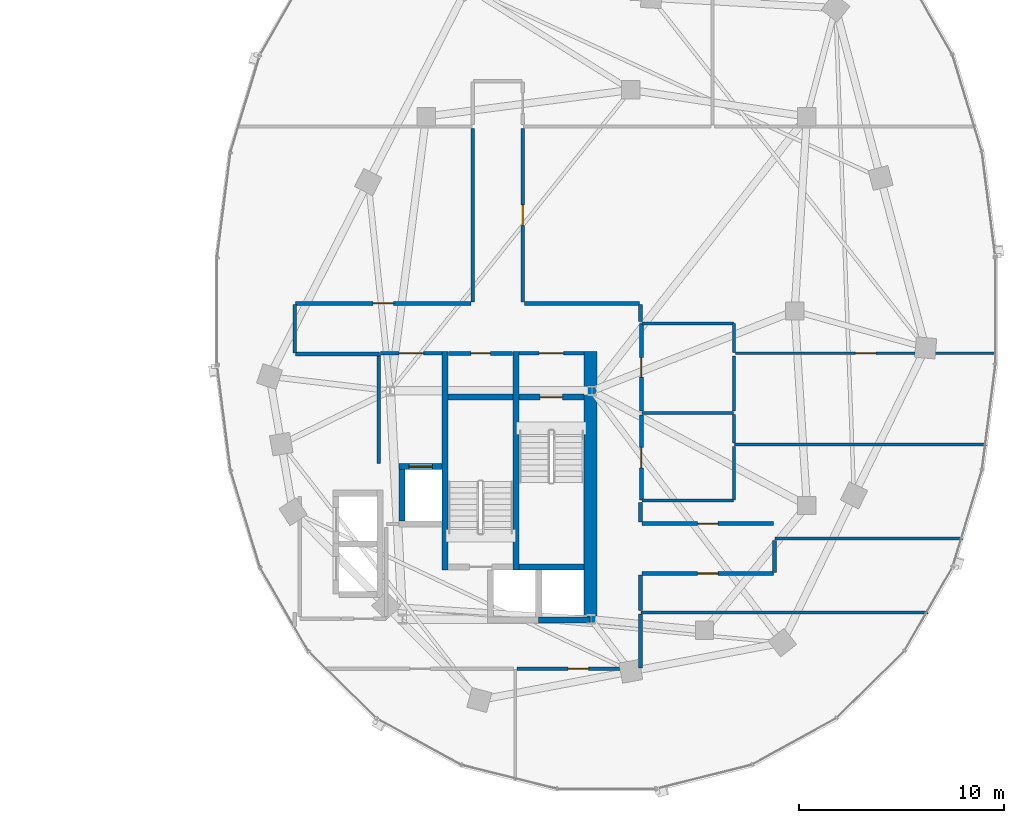
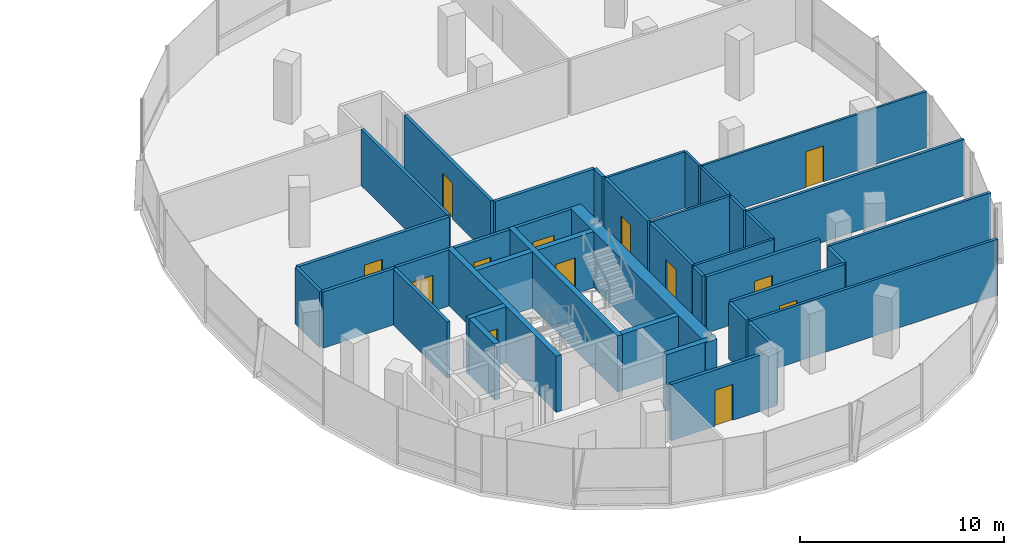
# One storey, part 14 of 22: 40 walls, 13 doors, 13 openings.
"""IFC4 building model written with IfcOpenShell, lengths in metres."""

from ifc_helpers import new_model, si_unit, direction, frame, frame_2d, origin, place, context, subcontext, project, spatial, rectangle, extrude, material, layer, layer_set, type_object, element, fill, save


model = new_model("IFC4")

# Units and contexts
model_context = context("Model", 3, precision=1e-05, world=origin(), true_north=direction((0.0, 1.0)))
body_context = subcontext(model_context, "Body", "Model", "MODEL_VIEW")
ifc_project = project(units=[si_unit("LENGTHUNIT", "METRE"), si_unit("AREAUNIT", "SQUARE_METRE"), si_unit("VOLUMEUNIT", "CUBIC_METRE"), si_unit("PLANEANGLEUNIT", "RADIAN"), si_unit("MASSUNIT", "GRAM", prefix="KILO"), si_unit("THERMODYNAMICTEMPERATUREUNIT", "KELVIN"), si_unit("POWERUNIT", "WATT")], contexts=[model_context])

# Site, building, storey
site_placement = place(None, origin())
site = spatial("IfcSite", under=ifc_project, at=site_placement, CompositionType="ELEMENT")
building_placement = place(site_placement, origin())
building = spatial("IfcBuilding", under=site, at=building_placement, Name="Cundina Bronze Exchange", CompositionType="ELEMENT")
storey_placement = place(building_placement, frame((0.0, 0.0, 151.199951171875)))
storey = spatial("IfcBuildingStorey", under=building, at=storey_placement, Name="L39", CompositionType="ELEMENT", Elevation=151.199951171875)

# Wall
ifc_material_1 = material(Name="Gypsum Fireboard Partition EI120")
ifc_layer_1 = layer(ifc_material_1, 0.179931640625, Name="Gypsum Fireboard Partition EI120")
ifc_layer_set_1 = layer_set([ifc_layer_1], Name="Gypsum Fireboard Partition EI120")
wall_type_1 = type_object("IfcWallType", Name="WL-COR-180", PredefinedType="PARTITIONING", material=ifc_layer_set_1)
wall_1_placement = place(storey_placement, frame((20.889892578125, -7.449951171875, 0.0), z_axis=(0.0, 0.0, 1.0), x_axis=(0.0, 1.0, 0.0)))
element("IfcWall", 1, at=wall_1_placement, inside=storey, type_object=wall_type_1, Name="L39 E Firefighting Lobby Side Wall", PredefinedType="PARTITIONING", context=body_context, shape_type="SweptSolid", body=[
    extrude(rectangle(XDim=5.300048828125, YDim=0.179931640625, at=frame_2d((2.64990234375, 0.0))), origin(), (0.0, 0.0, 1.0), 3.360107421875),
])

# Wall, opening, door
wall_2_placement = place(storey_placement, frame((20.97998046875, -2.06005859375, 0.0), z_axis=(0.0, 0.0, 1.0), x_axis=(1.0, 0.0, 0.0)))
wall_2 = element("IfcWall", 2, at=wall_2_placement, inside=storey, type_object=wall_type_1, Name="L39 E Firefighting Lobby Exit Wall", PredefinedType="PARTITIONING", context=body_context, shape_type="SweptSolid", body=[
    extrude(rectangle(XDim=3.0, YDim=0.179931640625, at=frame_2d((1.5, 0.0))), origin(), (0.0, 0.0, 1.0), 3.360107421875),
])
opening_1_placement = place(wall_2_placement, frame((0.89990234375, 0.0, 0.0)))
opening_1 = element("IfcOpeningElement", 3, at=opening_1_placement, cuts=wall_2, Name="Opening DF-01", PredefinedType="OPENING", context=body_context, shape_type="SweptSolid", body=[
    extrude(rectangle(XDim=1.199951171875, YDim=2.14990234375, at=frame_2d((0.60009765625, 1.074951171875))), frame((0.0, 0.099853515625, 0.0), z_axis=(0.0, -1.0, 0.0), x_axis=(1.0, 0.0, 0.0)), (0.0, 0.0, 1.0), 0.199951171875),
])
ifc_material_2 = material(Name="Steel ASTM A36 Painted", Category="steel")
door_type_1 = type_object("IfcDoorType", Name="DR-FFL-1200", OperationType="NOTDEFINED", PredefinedType="DOOR", material=ifc_material_2)
door_1_placement = place(opening_1_placement, origin())
door_1 = element("IfcDoor", 4, at=door_1_placement, inside=storey, type_object=door_type_1, Name="L39 E Firefighting Lobby Door", OperationType="SINGLE_SWING_LEFT", OverallHeight=2.14990234375, OverallWidth=1.199951171875, PredefinedType="DOOR", context=body_context, shape_type="SweptSolid", body=[
    extrude(rectangle(XDim=1.199951171875, YDim=2.14990234375, at=frame_2d((0.60009765625, 1.074951171875))), frame((0.0, 0.02490234375, 0.0), z_axis=(0.0, -1.0, 0.0), x_axis=(1.0, 0.0, 0.0)), (0.0, 0.0, 1.0), 0.050048828125),
])
fill(opening_1, door_1)

wall_3_placement = place(storey_placement, frame((27.739990234375, -2.06005859375, 0.0), z_axis=(0.0, 0.0, 1.0), x_axis=(1.0, 0.0, 0.0)))
wall_3 = element("IfcWall", 5, at=wall_3_placement, inside=storey, type_object=wall_type_1, Name="L39 E Stair Vestibule Exit Wall", PredefinedType="PARTITIONING", context=body_context, shape_type="SweptSolid", body=[
    extrude(rectangle(XDim=3.159912109375, YDim=0.179931640625, at=frame_2d((1.580078125, 0.0))), origin(), (0.0, 0.0, 1.0), 3.360107421875),
])
opening_2_placement = place(wall_3_placement, frame((0.97998046875, 0.0, 0.0)))
opening_2 = element("IfcOpeningElement", 6, at=opening_2_placement, cuts=wall_3, Name="Opening DF-01", PredefinedType="OPENING", context=body_context, shape_type="SweptSolid", body=[
    extrude(rectangle(XDim=1.199951171875, YDim=2.14990234375, at=frame_2d((0.60009765625, 1.074951171875))), frame((0.0, 0.099853515625, 0.0), z_axis=(0.0, -1.0, 0.0), x_axis=(1.0, 0.0, 0.0)), (0.0, 0.0, 1.0), 0.199951171875),
])
door_2_placement = place(opening_2_placement, origin())
door_2 = element("IfcDoor", 7, at=door_2_placement, inside=storey, type_object=door_type_1, Name="L39 E Stair Vestibule Door", OperationType="SINGLE_SWING_RIGHT", OverallHeight=2.14990234375, OverallWidth=1.199951171875, PredefinedType="DOOR", context=body_context, shape_type="SweptSolid", body=[
    extrude(rectangle(XDim=1.199951171875, YDim=2.14990234375, at=frame_2d((0.60009765625, 1.074951171875))), frame((0.0, 0.02490234375, 0.0), z_axis=(0.0, -1.0, 0.0), x_axis=(1.0, 0.0, 0.0)), (0.0, 0.0, 1.0), 0.050048828125),
])
fill(opening_2, door_2)

wall_4_placement = place(storey_placement, frame((24.300048828125, -2.070068359375, 0.0), z_axis=(0.0, 0.0, 1.0), x_axis=(1.0, 0.0, 0.0)))
wall_4 = element("IfcWall", 8, at=wall_4_placement, inside=storey, type_object=wall_type_1, Name="L39 Interior Partition 048", PredefinedType="PARTITIONING", context=body_context, shape_type="SweptSolid", body=[
    extrude(rectangle(XDim=3.119873046875, YDim=0.179931640625, at=frame_2d((1.56005859375, 0.0))), origin(), (0.0, 0.0, 1.0), 3.360107421875),
])
opening_3_placement = place(wall_4_placement, frame((1.0849609375, 0.0, 0.0)))
opening_3 = element("IfcOpeningElement", 9, at=opening_3_placement, cuts=wall_4, Name="Opening DW-01", PredefinedType="OPENING", context=body_context, shape_type="SweptSolid", body=[
    extrude(rectangle(XDim=0.949951171875, YDim=2.10009765625, at=frame_2d((0.47509765625, 1.050048828125))), frame((0.0, 0.099853515625, 0.0), z_axis=(0.0, -1.0, 0.0), x_axis=(1.0, 0.0, 0.0)), (0.0, 0.0, 1.0), 0.199951171875),
])
ifc_material_3 = material(Name="Solid Andean Oak Timber Grade A", Category="wood")
door_type_2 = type_object("IfcDoorType", Name="DR-WC-950", OperationType="NOTDEFINED", PredefinedType="DOOR", material=ifc_material_3)
door_3_placement = place(opening_3_placement, origin())
door_3 = element("IfcDoor", 10, at=door_3_placement, inside=storey, type_object=door_type_2, Name="L39 Interior Door 048", OperationType="SINGLE_SWING_LEFT", OverallHeight=2.10009765625, OverallWidth=0.949951171875, PredefinedType="DOOR", context=body_context, shape_type="SweptSolid", body=[
    extrude(rectangle(XDim=0.949951171875, YDim=2.10009765625, at=frame_2d((0.47509765625, 1.050048828125))), frame((0.0, 0.02490234375, 0.0), z_axis=(0.0, -1.0, 0.0), x_axis=(1.0, 0.0, 0.0)), (0.0, 0.0, 1.0), 0.050048828125),
])
fill(opening_3, door_3)

wall_5_placement = place(storey_placement, frame((33.719970703125, -4.8798828125, 0.0), z_axis=(0.0, 0.0, 1.0), x_axis=(0.0, 1.0, 0.0)))
wall_5 = element("IfcWall", 11, at=wall_5_placement, inside=storey, type_object=wall_type_1, Name="L39 Interior Partition 056", PredefinedType="PARTITIONING", context=body_context, shape_type="SweptSolid", body=[
    extrude(rectangle(XDim=4.259765625, YDim=0.179931640625, at=frame_2d((2.1298828125, 0.0))), origin(), (0.0, 0.0, 1.0), 3.360107421875),
])
opening_4_placement = place(wall_5_placement, frame((1.655029296875, 0.0, 0.0)))
opening_4 = element("IfcOpeningElement", 12, at=opening_4_placement, cuts=wall_5, Name="Opening DW-01", PredefinedType="OPENING", context=body_context, shape_type="SweptSolid", body=[
    extrude(rectangle(XDim=0.949951171875, YDim=2.10009765625, at=frame_2d((0.47509765625, 1.050048828125))), frame((0.0, 0.099853515625, 0.0), z_axis=(0.0, -1.0, 0.0), x_axis=(1.0, 0.0, 0.0)), (0.0, 0.0, 1.0), 0.199951171875),
])
door_4_placement = place(opening_4_placement, origin())
door_4 = element("IfcDoor", 13, at=door_4_placement, inside=storey, type_object=door_type_2, Name="L39 Interior Door 056", OperationType="SINGLE_SWING_LEFT", OverallHeight=2.10009765625, OverallWidth=0.949951171875, PredefinedType="DOOR", context=body_context, shape_type="SweptSolid", body=[
    extrude(rectangle(XDim=0.949951171875, YDim=2.10009765625, at=frame_2d((0.47509765625, 1.050048828125))), frame((0.0, 0.02490234375, 0.0), z_axis=(0.0, -1.0, 0.0), x_axis=(1.0, 0.0, 0.0)), (0.0, 0.0, 1.0), 0.050048828125),
])
fill(opening_4, door_4)

wall_6_placement = place(storey_placement, frame((33.719970703125, -9.239990234375, 0.0), z_axis=(0.0, 0.0, 1.0), x_axis=(0.0, 1.0, 0.0)))
wall_6 = element("IfcWall", 14, at=wall_6_placement, inside=storey, type_object=wall_type_1, Name="L39 Interior Partition 057", PredefinedType="PARTITIONING", context=body_context, shape_type="SweptSolid", body=[
    extrude(rectangle(XDim=4.159912109375, YDim=0.179931640625, at=frame_2d((2.080078125, 0.0))), origin(), (0.0, 0.0, 1.0), 3.360107421875),
])
opening_5_placement = place(wall_6_placement, frame((1.580078125, 0.0, 0.0)))
opening_5 = element("IfcOpeningElement", 15, at=opening_5_placement, cuts=wall_6, Name="Opening DO-01", PredefinedType="OPENING", context=body_context, shape_type="SweptSolid", body=[
    extrude(rectangle(XDim=1.0, YDim=2.14990234375, at=frame_2d((0.5, 1.074951171875))), frame((0.0, 0.099853515625, 0.0), z_axis=(0.0, -1.0, 0.0), x_axis=(1.0, 0.0, 0.0)), (0.0, 0.0, 1.0), 0.199951171875),
])
door_type_3 = type_object("IfcDoorType", Name="DR-OFF-1000", OperationType="NOTDEFINED", PredefinedType="DOOR", material=ifc_material_3)
door_5_placement = place(opening_5_placement, origin())
door_5 = element("IfcDoor", 16, at=door_5_placement, inside=storey, type_object=door_type_3, Name="L39 Interior Door 057", OperationType="SINGLE_SWING_LEFT", OverallHeight=2.14990234375, OverallWidth=1.0, PredefinedType="DOOR", context=body_context, shape_type="SweptSolid", body=[
    extrude(rectangle(XDim=1.0, YDim=2.14990234375, at=frame_2d((0.5, 1.074951171875))), frame((0.0, 0.02490234375, 0.0), z_axis=(0.0, -1.0, 0.0), x_axis=(1.0, 0.0, 0.0)), (0.0, 0.0, 1.0), 0.050048828125),
])
fill(opening_5, door_5)

wall_7_placement = place(storey_placement, frame((27.64990234375, -17.469970703125, 0.0), z_axis=(0.0, 0.0, 1.0), x_axis=(1.0, 0.0, 0.0)))
wall_7 = element("IfcWall", 17, at=wall_7_placement, inside=storey, type_object=wall_type_1, Name="L39 Interior Partition 066", PredefinedType="PARTITIONING", context=body_context, shape_type="SweptSolid", body=[
    extrude(rectangle(XDim=5.978515625, YDim=0.179931640625, at=frame_2d((2.9892578125, 0.0))), origin(), (0.0, 0.0, 1.0), 3.360107421875),
])
opening_6_placement = place(wall_7_placement, frame((2.4892578125, 0.0, 0.0)))
opening_6 = element("IfcOpeningElement", 18, at=opening_6_placement, cuts=wall_7, Name="Opening DO-01", PredefinedType="OPENING", context=body_context, shape_type="SweptSolid", body=[
    extrude(rectangle(XDim=1.0, YDim=2.14990234375, at=frame_2d((0.5, 1.074951171875))), frame((0.0, 0.099853515625, 0.0), z_axis=(0.0, -1.0, 0.0), x_axis=(1.0, 0.0, 0.0)), (0.0, 0.0, 1.0), 0.199951171875),
])
door_6_placement = place(opening_6_placement, origin())
door_6 = element("IfcDoor", 19, at=door_6_placement, inside=storey, type_object=door_type_3, Name="L39 Interior Door 066", OperationType="SINGLE_SWING_RIGHT", OverallHeight=2.14990234375, OverallWidth=1.0, PredefinedType="DOOR", context=body_context, shape_type="SweptSolid", body=[
    extrude(rectangle(XDim=1.0, YDim=2.14990234375, at=frame_2d((0.5, 1.074951171875))), frame((0.0, 0.02490234375, 0.0), z_axis=(0.0, -1.0, 0.0), x_axis=(1.0, 0.0, 0.0)), (0.0, 0.0, 1.0), 0.050048828125),
])
fill(opening_6, door_6)

# Wall
wall_8_placement = place(storey_placement, frame((33.669921875, -17.428466796875, 0.0), z_axis=(0.0, 0.0, 1.0), x_axis=(0.0, 1.0, 0.0)))
element("IfcWall", 20, at=wall_8_placement, inside=storey, type_object=wall_type_1, Name="L39 Interior Partition 067", PredefinedType="PARTITIONING", context=body_context, shape_type="SweptSolid", body=[
    extrude(rectangle(XDim=2.618408203125, YDim=0.179931640625, at=frame_2d((1.30908203125, 0.0))), origin(), (0.0, 0.0, 1.0), 3.360107421875),
])

# Wall, opening, door
wall_9_placement = place(storey_placement, frame((33.75, -12.820068359375, 0.0), z_axis=(0.0, 0.0, 1.0), x_axis=(1.0, 0.0, 0.0)))
wall_9 = element("IfcWall", 21, at=wall_9_placement, inside=storey, type_object=wall_type_1, Name="L39 Interior Partition 068", PredefinedType="PARTITIONING", context=body_context, shape_type="SweptSolid", body=[
    extrude(rectangle(XDim=6.428466796875, YDim=0.179931640625, at=frame_2d((3.21435546875, 0.0))), origin(), (0.0, 0.0, 1.0), 3.360107421875),
])
opening_7_placement = place(wall_9_placement, frame((2.714111328125, 0.0, 0.0)))
opening_7 = element("IfcOpeningElement", 22, at=opening_7_placement, cuts=wall_9, Name="Opening DO-01", PredefinedType="OPENING", context=body_context, shape_type="SweptSolid", body=[
    extrude(rectangle(XDim=1.0, YDim=2.14990234375, at=frame_2d((0.5, 1.074951171875))), frame((0.0, 0.099853515625, 0.0), z_axis=(0.0, -1.0, 0.0), x_axis=(1.0, 0.0, 0.0)), (0.0, 0.0, 1.0), 0.199951171875),
])
door_7_placement = place(opening_7_placement, origin())
door_7 = element("IfcDoor", 23, at=door_7_placement, inside=storey, type_object=door_type_3, Name="L39 Interior Door 068", OperationType="SINGLE_SWING_RIGHT", OverallHeight=2.14990234375, OverallWidth=1.0, PredefinedType="DOOR", context=body_context, shape_type="SweptSolid", body=[
    extrude(rectangle(XDim=1.0, YDim=2.14990234375, at=frame_2d((0.5, 1.074951171875))), frame((0.0, 0.02490234375, 0.0), z_axis=(0.0, -1.0, 0.0), x_axis=(1.0, 0.0, 0.0)), (0.0, 0.0, 1.0), 0.050048828125),
])
fill(opening_7, door_7)

# Walls
wall_10_placement = place(storey_placement, frame((33.669921875, -14.6298828125, 0.0), z_axis=(0.0, 0.0, 1.0), x_axis=(0.0, 1.0, 0.0)))
element("IfcWall", 24, at=wall_10_placement, inside=storey, type_object=wall_type_1, Name="L39 Interior Partition 069", PredefinedType="PARTITIONING", context=body_context, shape_type="SweptSolid", body=[
    extrude(rectangle(XDim=1.72998046875, YDim=0.179931640625, at=frame_2d((0.864990234375, 0.0))), origin(), (0.0, 0.0, 1.0), 3.360107421875),
])
wall_11_placement = place(storey_placement, frame((40.219970703125, -12.778564453125, 0.0), z_axis=(0.0, 0.0, 1.0), x_axis=(0.0, 1.0, 0.0)))
element("IfcWall", 25, at=wall_11_placement, inside=storey, type_object=wall_type_1, Name="L39 Interior Partition 070", PredefinedType="PARTITIONING", context=body_context, shape_type="SweptSolid", body=[
    extrude(rectangle(XDim=1.568603515625, YDim=0.179931640625, at=frame_2d((0.7841796875, 0.0))), origin(), (0.0, 0.0, 1.0), 3.360107421875),
])

# Wall, opening, door
wall_12_placement = place(storey_placement, frame((40.178466796875, -10.3798828125, 0.0), z_axis=(0.0, 0.0, 1.0), x_axis=(-1.0, 0.0, 0.0)))
wall_12 = element("IfcWall", 26, at=wall_12_placement, inside=storey, type_object=wall_type_1, Name="L39 Interior Partition 071", PredefinedType="PARTITIONING", context=body_context, shape_type="SweptSolid", body=[
    extrude(rectangle(XDim=6.428466796875, YDim=0.179931640625, at=frame_2d((3.21435546875, 0.0))), origin(), (0.0, 0.0, 1.0), 3.360107421875),
])
opening_8_placement = place(wall_12_placement, frame((2.714111328125, 0.0, 0.0)))
opening_8 = element("IfcOpeningElement", 27, at=opening_8_placement, cuts=wall_12, Name="Opening DO-01", PredefinedType="OPENING", context=body_context, shape_type="SweptSolid", body=[
    extrude(rectangle(XDim=1.0, YDim=2.14990234375, at=frame_2d((0.5, 1.074951171875))), frame((0.0, 0.099853515625, 0.0), z_axis=(0.0, -1.0, 0.0), x_axis=(1.0, 0.0, 0.0)), (0.0, 0.0, 1.0), 0.199951171875),
])
door_8_placement = place(opening_8_placement, origin())
door_8 = element("IfcDoor", 28, at=door_8_placement, inside=storey, type_object=door_type_3, Name="L39 Interior Door 071", OperationType="SINGLE_SWING_LEFT", OverallHeight=2.14990234375, OverallWidth=1.0, PredefinedType="DOOR", context=body_context, shape_type="SweptSolid", body=[
    extrude(rectangle(XDim=1.0, YDim=2.14990234375, at=frame_2d((0.5, 1.074951171875))), frame((0.0, 0.02490234375, 0.0), z_axis=(0.0, -1.0, 0.0), x_axis=(1.0, 0.0, 0.0)), (0.0, 0.0, 1.0), 0.050048828125),
])
fill(opening_8, door_8)

# Wall
wall_13_placement = place(storey_placement, frame((33.669921875, -10.300048828125, 0.0), z_axis=(0.0, 0.0, 1.0), x_axis=(0.0, 1.0, 0.0)))
element("IfcWall", 29, at=wall_13_placement, inside=storey, type_object=wall_type_1, Name="L39 Interior Partition 072", PredefinedType="PARTITIONING", context=body_context, shape_type="SweptSolid", body=[
    extrude(rectangle(XDim=0.94873046875, YDim=0.179931640625, at=frame_2d((0.474365234375, 0.0))), origin(), (0.0, 0.0, 1.0), 3.360107421875),
])

# Wall, opening, door
wall_14_placement = place(storey_placement, frame((25.39990234375, 0.3701171875, 0.0), z_axis=(0.0, 0.0, 1.0), x_axis=(-1.0, 0.0, 0.0)))
wall_14 = element("IfcWall", 30, at=wall_14_placement, inside=storey, type_object=wall_type_1, Name="L39 Interior Partition 073", PredefinedType="PARTITIONING", context=body_context, shape_type="SweptSolid", body=[
    extrude(rectangle(XDim=8.578369140625, YDim=0.179931640625, at=frame_2d((4.2890625, 0.0))), origin(), (0.0, 0.0, 1.0), 3.360107421875),
])
opening_9_placement = place(wall_14_placement, frame((3.789306640625, 0.0, 0.0)))
opening_9 = element("IfcOpeningElement", 31, at=opening_9_placement, cuts=wall_14, Name="Opening DO-01", PredefinedType="OPENING", context=body_context, shape_type="SweptSolid", body=[
    extrude(rectangle(XDim=1.0, YDim=2.14990234375, at=frame_2d((0.5, 1.074951171875))), frame((0.0, 0.099853515625, 0.0), z_axis=(0.0, -1.0, 0.0), x_axis=(1.0, 0.0, 0.0)), (0.0, 0.0, 1.0), 0.199951171875),
])
door_9_placement = place(opening_9_placement, origin())
door_9 = element("IfcDoor", 32, at=door_9_placement, inside=storey, type_object=door_type_3, Name="L39 Interior Door 073", OperationType="SINGLE_SWING_LEFT", OverallHeight=2.14990234375, OverallWidth=1.0, PredefinedType="DOOR", context=body_context, shape_type="SweptSolid", body=[
    extrude(rectangle(XDim=1.0, YDim=2.14990234375, at=frame_2d((0.5, 1.074951171875))), frame((0.0, 0.02490234375, 0.0), z_axis=(0.0, -1.0, 0.0), x_axis=(1.0, 0.0, 0.0)), (0.0, 0.0, 1.0), 0.050048828125),
])
fill(opening_9, door_9)

# Walls
wall_15_placement = place(storey_placement, frame((25.47998046875, 8.919921875, 0.0), z_axis=(0.0, 0.0, 1.0), x_axis=(0.0, -1.0, 0.0)))
element("IfcWall", 33, at=wall_15_placement, inside=storey, type_object=wall_type_1, Name="L39 Interior Partition 074", PredefinedType="PARTITIONING", context=body_context, shape_type="SweptSolid", body=[
    extrude(rectangle(XDim=8.469970703125, YDim=0.179931640625, at=frame_2d((4.23486328125, 0.0))), origin(), (0.0, 0.0, 1.0), 3.360107421875),
])
wall_16_placement = place(storey_placement, frame((16.821533203125, -2.10009765625, 0.0), z_axis=(0.0, 0.0, 1.0), x_axis=(1.0, 0.0, 0.0)))
element("IfcWall", 34, at=wall_16_placement, inside=storey, type_object=wall_type_1, Name="L39 Interior Partition 075", PredefinedType="PARTITIONING", context=body_context, shape_type="SweptSolid", body=[
    extrude(rectangle(XDim=4.098388671875, YDim=0.179931640625, at=frame_2d((2.04931640625, 0.0))), origin(), (0.0, 0.0, 1.0), 3.360107421875),
])
wall_17_placement = place(storey_placement, frame((16.780029296875, 0.32861328125, 0.0), z_axis=(0.0, 0.0, 1.0), x_axis=(0.0, -1.0, 0.0)))
element("IfcWall", 35, at=wall_17_placement, inside=storey, type_object=wall_type_1, Name="L39 Interior Partition 076", PredefinedType="PARTITIONING", context=body_context, shape_type="SweptSolid", body=[
    extrude(rectangle(XDim=2.38720703125, YDim=0.179931640625, at=frame_2d((1.193603515625, 0.0))), origin(), (0.0, 0.0, 1.0), 3.360107421875),
])

# Wall, opening, door
wall_18_placement = place(storey_placement, frame((27.919921875, 0.449951171875, 0.0), z_axis=(0.0, 0.0, 1.0), x_axis=(0.0, 1.0, 0.0)))
wall_18 = element("IfcWall", 36, at=wall_18_placement, inside=storey, type_object=wall_type_1, Name="L39 Interior Partition 078", PredefinedType="PARTITIONING", context=body_context, shape_type="SweptSolid", body=[
    extrude(rectangle(XDim=8.469970703125, YDim=0.179931640625, at=frame_2d((4.23486328125, 0.0))), origin(), (0.0, 0.0, 1.0), 3.360107421875),
])
opening_10_placement = place(wall_18_placement, frame((3.735107421875, 0.0, 0.0)))
opening_10 = element("IfcOpeningElement", 37, at=opening_10_placement, cuts=wall_18, Name="Opening DO-01", PredefinedType="OPENING", context=body_context, shape_type="SweptSolid", body=[
    extrude(rectangle(XDim=1.0, YDim=2.14990234375, at=frame_2d((0.5, 1.074951171875))), frame((0.0, 0.099853515625, 0.0), z_axis=(0.0, -1.0, 0.0), x_axis=(1.0, 0.0, 0.0)), (0.0, 0.0, 1.0), 0.199951171875),
])
door_10_placement = place(opening_10_placement, origin())
door_10 = element("IfcDoor", 38, at=door_10_placement, inside=storey, type_object=door_type_3, Name="L39 Interior Door 078", OperationType="SINGLE_SWING_LEFT", OverallHeight=2.14990234375, OverallWidth=1.0, PredefinedType="DOOR", context=body_context, shape_type="SweptSolid", body=[
    extrude(rectangle(XDim=1.0, YDim=2.14990234375, at=frame_2d((0.5, 1.074951171875))), frame((0.0, 0.02490234375, 0.0), z_axis=(0.0, -1.0, 0.0), x_axis=(1.0, 0.0, 0.0)), (0.0, 0.0, 1.0), 0.050048828125),
])
fill(opening_10, door_10)

# Walls
wall_19_placement = place(storey_placement, frame((33.62841796875, 0.3701171875, 0.0), z_axis=(0.0, 0.0, 1.0), x_axis=(-1.0, 0.0, 0.0)))
element("IfcWall", 39, at=wall_19_placement, inside=storey, type_object=wall_type_1, Name="L39 Interior Partition 079", PredefinedType="PARTITIONING", context=body_context, shape_type="SweptSolid", body=[
    extrude(rectangle(XDim=5.62841796875, YDim=0.179931640625, at=frame_2d((2.814208984375, 0.0))), origin(), (0.0, 0.0, 1.0), 3.360107421875),
])
wall_20_placement = place(storey_placement, frame((33.669921875, -0.508544921875, 0.0), z_axis=(0.0, 0.0, 1.0), x_axis=(0.0, 1.0, 0.0)))
element("IfcWall", 40, at=wall_20_placement, inside=storey, type_object=wall_type_1, Name="L39 Interior Partition 080", PredefinedType="PARTITIONING", context=body_context, shape_type="SweptSolid", body=[
    extrude(rectangle(XDim=0.837158203125, YDim=0.179931640625, at=frame_2d((0.41845703125, 0.0))), origin(), (0.0, 0.0, 1.0), 3.360107421875),
])
ifc_material_4 = material(Name="Concrete C50/60", Category="concrete")
ifc_layer_2 = layer(ifc_material_4, 0.64990234375, Name="Concrete C50/60", Category="concrete")
ifc_layer_set_2 = layer_set([ifc_layer_2], Name="Concrete C50/60")
wall_type_2 = type_object("IfcWallType", Name="WL-CORE-650", PredefinedType="SHEAR", material=ifc_layer_set_2)
wall_21_placement = place(storey_placement, frame((31.22509765625, -15.300048828125, 0.0), z_axis=(0.0, 0.0, 1.0), x_axis=(0.0, 1.0, 0.0)))
element("IfcWall", 41, at=wall_21_placement, inside=storey, type_object=wall_type_2, Name="L39 E Primary Core Shear Spine Wall", PredefinedType="SHEAR", context=body_context, shape_type="SweptSolid", body=[
    extrude(rectangle(XDim=13.330078125, YDim=0.64990234375, at=frame_2d((6.6650390625, 0.0))), origin(), (0.0, 0.0, 1.0), 3.360107421875),
])

# Wall, opening, door
ifc_material_5 = material(Name="Gypsum Acoustic Partition EI60")
ifc_layer_3 = layer(ifc_material_5, 0.125, Name="Gypsum Acoustic Partition EI60")
ifc_layer_set_3 = layer_set([ifc_layer_3], Name="Gypsum Acoustic Partition EI60")
wall_type_3 = type_object("IfcWallType", Name="WL-OFF-125", PredefinedType="PARTITIONING", material=ifc_layer_set_3)
wall_22_placement = place(storey_placement, frame((38.320068359375, -2.070068359375, 0.0), z_axis=(0.0, 0.0, 1.0), x_axis=(1.0, 0.0, 0.0)))
wall_22 = element("IfcWall", 42, at=wall_22_placement, inside=storey, type_object=wall_type_3, Name="L39 Interior Partition 084", PredefinedType="PARTITIONING", context=body_context, shape_type="SweptSolid", body=[
    extrude(rectangle(XDim=12.701904296875, YDim=0.125, at=frame_2d((6.35107421875, 0.0))), origin(), (0.0, 0.0, 1.0), 3.360107421875),
])
opening_11_placement = place(wall_22_placement, frame((5.85107421875, 0.0, 0.0)))
opening_11 = element("IfcOpeningElement", 43, at=opening_11_placement, cuts=wall_22, Name="Opening DO-01", PredefinedType="OPENING", context=body_context, shape_type="SweptSolid", body=[
    extrude(rectangle(XDim=1.0, YDim=2.14990234375, at=frame_2d((0.5, 1.074951171875))), frame((0.0, 0.072509765625, 0.0), z_axis=(0.0, -1.0, 0.0), x_axis=(1.0, 0.0, 0.0)), (0.0, 0.0, 1.0), 0.14501953125),
])
door_11_placement = place(opening_11_placement, origin())
door_11 = element("IfcDoor", 44, at=door_11_placement, inside=storey, type_object=door_type_3, Name="L39 Interior Door 084", OperationType="SINGLE_SWING_RIGHT", OverallHeight=2.14990234375, OverallWidth=1.0, PredefinedType="DOOR", context=body_context, shape_type="SweptSolid", body=[
    extrude(rectangle(XDim=1.0, YDim=2.14990234375, at=frame_2d((0.5, 1.074951171875))), frame((0.0, 0.02490234375, 0.0), z_axis=(0.0, -1.0, 0.0), x_axis=(1.0, 0.0, 0.0)), (0.0, 0.0, 1.0), 0.050048828125),
])
fill(opening_11, door_11)

# Walls
ifc_layer_4 = layer(ifc_material_4, 0.300048828125, Name="Concrete C50/60", Category="concrete")
ifc_layer_set_4 = layer_set([ifc_layer_4], Name="Concrete C50/60")
wall_type_4 = type_object("IfcWallType", Name="WL-SHFT-300", PredefinedType="SHEAR", material=ifc_layer_set_4)
for number, where, z_axis, x_axis, name in (
    (45, (27.590087890625, -12.64990234375, 0.0), (0.0, 0.0, 1.0), (0.0, 1.0, 0.0), "L39 E Stair Shaft Dividing Shear Wall"),
    (46, (24.1298828125, -12.64990234375, 0.0), (0.0, 0.0, 1.0), (0.0, 1.0, 0.0), "L39 E Stair 2 East Shear Wall"),
):
    element("IfcWall", number, at=place(storey_placement, frame(where, z_axis=z_axis, x_axis=x_axis)), inside=storey, type_object=wall_type_4, Name=name, PredefinedType="SHEAR", context=body_context, shape_type="SweptSolid", body=[
        extrude(rectangle(XDim=10.679931640625, YDim=0.300048828125, at=frame_2d((5.33984375, 0.0))), origin(), (0.0, 0.0, 1.0), 3.360107421875),
    ])

# Wall, opening, door
wall_23_placement = place(storey_placement, frame((27.739990234375, -4.199951171875, 0.0), z_axis=(0.0, 0.0, 1.0), x_axis=(1.0, 0.0, 0.0)))
wall_23 = element("IfcWall", 47, at=wall_23_placement, inside=storey, type_object=wall_type_4, Name="L39 Stair E1 Landing Wall", PredefinedType="SHEAR", context=body_context, shape_type="SweptSolid", body=[
    extrude(rectangle(XDim=3.159912109375, YDim=0.300048828125, at=frame_2d((1.580078125, 0.0))), origin(), (0.0, 0.0, 1.0), 3.360107421875),
])
opening_12_placement = place(wall_23_placement, frame((1.030029296875, 0.0, 0.0)))
opening_12 = element("IfcOpeningElement", 48, at=opening_12_placement, cuts=wall_23, Name="Opening DS-01", PredefinedType="OPENING", context=body_context, shape_type="SweptSolid", body=[
    extrude(rectangle(XDim=1.10009765625, YDim=2.14990234375, at=frame_2d((0.550048828125, 1.074951171875))), frame((0.0, 0.159912109375, 0.0), z_axis=(0.0, -1.0, 0.0), x_axis=(1.0, 0.0, 0.0)), (0.0, 0.0, 1.0), 0.320068359375),
])
door_type_4 = type_object("IfcDoorType", Name="DR-STR-1100", OperationType="NOTDEFINED", PredefinedType="DOOR", material=ifc_material_2)
door_12_placement = place(opening_12_placement, origin())
door_12 = element("IfcDoor", 49, at=door_12_placement, inside=storey, type_object=door_type_4, Name="L39 Smokeproof Stair E1 Door", OperationType="SINGLE_SWING_LEFT", OverallHeight=2.14990234375, OverallWidth=1.10009765625, PredefinedType="DOOR", context=body_context, shape_type="SweptSolid", body=[
    extrude(rectangle(XDim=1.10009765625, YDim=2.14990234375, at=frame_2d((0.550048828125, 1.074951171875))), frame((0.0, 0.02490234375, 0.0), z_axis=(0.0, -1.0, 0.0), x_axis=(1.0, 0.0, 0.0)), (0.0, 0.0, 1.0), 0.050048828125),
])
fill(opening_12, door_12)

# Walls
for number, where, z_axis, x_axis, name in (
    (50, (27.739990234375, -12.5, 0.0), (0.0, 0.0, 1.0), (1.0, 0.0, 0.0), "L39 Stair E1 Far Shaft Wall"),
    (51, (24.280029296875, -4.199951171875, 0.0), (0.0, 0.0, 1.0), (1.0, 0.0, 0.0), "L39 Stair E2 Far Shaft Wall"),
):
    element("IfcWall", number, at=place(storey_placement, frame(where, z_axis=z_axis, x_axis=x_axis)), inside=storey, type_object=wall_type_4, Name=name, PredefinedType="SHEAR", context=body_context, shape_type="SweptSolid", body=[
        extrude(rectangle(XDim=3.159912109375, YDim=0.300048828125, at=frame_2d((1.580078125, 0.0))), origin(), (0.0, 0.0, 1.0), 3.360107421875),
    ])

# Wall, opening, door
wall_24_placement = place(storey_placement, frame((21.8798828125, -7.60009765625, 0.0), z_axis=(0.0, 0.0, 1.0), x_axis=(1.0, 0.0, 0.0)))
wall_24 = element("IfcWall", 52, at=wall_24_placement, inside=storey, type_object=wall_type_4, Name="L39 FFL-E Hoistway Front Wall", PredefinedType="SHEAR", context=body_context, shape_type="SweptSolid", body=[
    extrude(rectangle(XDim=2.10009765625, YDim=0.300048828125, at=frame_2d((1.050048828125, 0.0))), origin(), (0.0, 0.0, 1.0), 3.360107421875),
])
opening_13_placement = place(wall_24_placement, frame((0.47509765625, 0.0, 0.0)))
opening_13 = element("IfcOpeningElement", 53, at=opening_13_placement, cuts=wall_24, Name="Opening LD-01", PredefinedType="OPENING", context=body_context, shape_type="SweptSolid", body=[
    extrude(rectangle(XDim=1.14990234375, YDim=2.199951171875, at=frame_2d((0.574951171875, 1.10009765625))), frame((0.0, 0.159912109375, 0.0), z_axis=(0.0, -1.0, 0.0), x_axis=(1.0, 0.0, 0.0)), (0.0, 0.0, 1.0), 0.320068359375),
])
door_type_5 = type_object("IfcDoorType", Name="DR-LND-1150", OperationType="NOTDEFINED", PredefinedType="TRAPDOOR", material=ifc_material_2)
door_13_placement = place(opening_13_placement, origin())
door_13 = element("IfcDoor", 54, at=door_13_placement, inside=storey, type_object=door_type_5, Name="L39 FFL-E Sliding Landing Door", OperationType="SLIDING_TO_LEFT", OverallHeight=2.199951171875, OverallWidth=1.14990234375, PredefinedType="TRAPDOOR", context=body_context, shape_type="SweptSolid", body=[
    extrude(rectangle(XDim=1.14990234375, YDim=2.199951171875, at=frame_2d((0.574951171875, 1.10009765625))), frame((0.0, 0.02490234375, 0.0), z_axis=(0.0, -1.0, 0.0), x_axis=(1.0, 0.0, 0.0)), (0.0, 0.0, 1.0), 0.050048828125),
])
fill(opening_13, door_13)

# Walls
for number, where, z_axis, x_axis, name in (
    (55, (22.030029296875, -10.25, 0.0), (0.0, 0.0, 1.0), (0.0, 1.0, 0.0), "L39 FFL-E Hoistway Side Wall"),
    (56, (28.699951171875, -15.10009765625, 0.0), (0.0, 0.0, 1.0), (1.0, 0.0, 0.0), "L39 PH-E1 Hoistway Front Wall"),
):
    element("IfcWall", number, at=place(storey_placement, frame(where, z_axis=z_axis, x_axis=x_axis)), inside=storey, type_object=wall_type_4, Name=name, PredefinedType="SHEAR", context=body_context, shape_type="SweptSolid", body=[
        extrude(rectangle(XDim=2.5, YDim=0.300048828125, at=frame_2d((1.25, 0.0))), origin(), (0.0, 0.0, 1.0), 3.360107421875),
    ])
ifc_layer_5 = layer(ifc_material_5, 0.14990234375, Name="Gypsum Acoustic Partition EI60")
ifc_layer_set_5 = layer_set([ifc_layer_5], Name="Gypsum Acoustic Partition EI60")
wall_type_5 = type_object("IfcWallType", Name="WL-TEN-150", PredefinedType="PARTITIONING", material=ifc_layer_set_5)
wall_25_placement = place(storey_placement, frame((38.27001953125, -6.52001953125, 0.0), z_axis=(0.0, 0.0, 1.0), x_axis=(1.0, 0.0, 0.0)))
element("IfcWall", 57, at=wall_25_placement, inside=storey, type_object=wall_type_5, Name="L39 Interior Partition 061", PredefinedType="PARTITIONING", context=body_context, shape_type="SweptSolid", body=[
    extrude(rectangle(XDim=12.307373046875, YDim=0.14990234375, at=frame_2d((6.15380859375, 0.0))), origin(), (0.0, 0.0, 1.0), 3.360107421875),
])
wall_26_placement = place(storey_placement, frame((40.25, -11.1201171875, 0.0), z_axis=(0.0, 0.0, 1.0), x_axis=(1.0, 0.0, 0.0)))
element("IfcWall", 58, at=wall_26_placement, inside=storey, type_object=wall_type_5, Name="L39 Interior Partition 062", PredefinedType="PARTITIONING", context=body_context, shape_type="SweptSolid", body=[
    extrude(rectangle(XDim=9.156005859375, YDim=0.14990234375, at=frame_2d((4.578125, 0.0))), origin(), (0.0, 0.0, 1.0), 3.360107421875),
])
wall_27_placement = place(storey_placement, frame((33.699951171875, -14.719970703125, 0.0), z_axis=(0.0, 0.0, 1.0), x_axis=(1.0, 0.0, 0.0)))
element("IfcWall", 59, at=wall_27_placement, inside=storey, type_object=wall_type_5, Name="L39 Interior Partition 063", PredefinedType="PARTITIONING", context=body_context, shape_type="SweptSolid", body=[
    extrude(rectangle(XDim=14.02294921875, YDim=0.14990234375, at=frame_2d((7.011474609375, 0.0))), origin(), (0.0, 0.0, 1.0), 3.360107421875),
])
ifc_material_6 = material(Name="Moisture-Resistant Masonry Block Grade M15", Category="masonry")
ifc_layer_6 = layer(ifc_material_6, 0.139892578125, Name="Moisture-Resistant Masonry Block Grade M15", Category="masonry")
ifc_layer_set_6 = layer_set([ifc_layer_6], Name="Moisture-Resistant Masonry Block Grade M15")
wall_type_6 = type_object("IfcWallType", Name="WL-WET-140", PredefinedType="PARTITIONING", material=ifc_layer_set_6)
wall_28_placement = place(storey_placement, frame((38.239990234375, -9.239990234375, 0.0), z_axis=(0.0, 0.0, 1.0), x_axis=(0.0, 1.0, 0.0)))
element("IfcWall", 60, at=wall_28_placement, inside=storey, type_object=wall_type_6, Name="L39 Interior Partition 049", PredefinedType="PARTITIONING", context=body_context, shape_type="SweptSolid", body=[
    extrude(rectangle(XDim=2.635009765625, YDim=0.139892578125, at=frame_2d((1.3173828125, 0.0))), origin(), (0.0, 0.0, 1.0), 3.360107421875),
])
wall_29_placement = place(storey_placement, frame((38.239990234375, -6.43505859375, 0.0), z_axis=(0.0, 0.0, 1.0), x_axis=(0.0, 1.0, 0.0)))
element("IfcWall", 61, at=wall_29_placement, inside=storey, type_object=wall_type_6, Name="L39 Interior Partition 050", PredefinedType="PARTITIONING", context=body_context, shape_type="SweptSolid", body=[
    extrude(rectangle(XDim=1.3701171875, YDim=0.139892578125, at=frame_2d((0.68505859375, 0.0))), origin(), (0.0, 0.0, 1.0), 3.360107421875),
])
wall_30_placement = place(storey_placement, frame((38.239990234375, -4.89501953125, 0.0), z_axis=(0.0, 0.0, 1.0), x_axis=(0.0, 1.0, 0.0)))
element("IfcWall", 62, at=wall_30_placement, inside=storey, type_object=wall_type_6, Name="L39 Interior Partition 051", PredefinedType="PARTITIONING", context=body_context, shape_type="SweptSolid", body=[
    extrude(rectangle(XDim=2.68994140625, YDim=0.139892578125, at=frame_2d((1.344970703125, 0.0))), origin(), (0.0, 0.0, 1.0), 3.360107421875),
])
wall_31_placement = place(storey_placement, frame((38.239990234375, -2.034912109375, 0.0), z_axis=(0.0, 0.0, 1.0), x_axis=(0.0, 1.0, 0.0)))
element("IfcWall", 63, at=wall_31_placement, inside=storey, type_object=wall_type_6, Name="L39 Interior Partition 052", PredefinedType="PARTITIONING", context=body_context, shape_type="SweptSolid", body=[
    extrude(rectangle(XDim=1.414794921875, YDim=0.139892578125, at=frame_2d((0.70751953125, 0.0))), origin(), (0.0, 0.0, 1.0), 3.360107421875),
])
for number, where, z_axis, x_axis, name in (
    (64, (33.739990234375, -0.60009765625, 0.0), (0.0, 0.0, 1.0), (1.0, 0.0, 0.0), "L39 Interior Partition 053"),
    (65, (33.739990234375, -4.97998046875, 0.0), (0.0, 0.0, 1.0), (1.0, 0.0, 0.0), "L39 Interior Partition 054"),
    (66, (33.739990234375, -9.260009765625, 0.0), (0.0, 0.0, 1.0), (1.0, 0.0, 0.0), "L39 Interior Partition 055"),
):
    element("IfcWall", number, at=place(storey_placement, frame(where, z_axis=z_axis, x_axis=x_axis)), inside=storey, type_object=wall_type_6, Name=name, PredefinedType="PARTITIONING", context=body_context, shape_type="SweptSolid", body=[
        extrude(rectangle(XDim=4.47998046875, YDim=0.139892578125, at=frame_2d((2.239990234375, 0.0))), origin(), (0.0, 0.0, 1.0), 3.360107421875),
    ])

save(model, "model.ifc")
